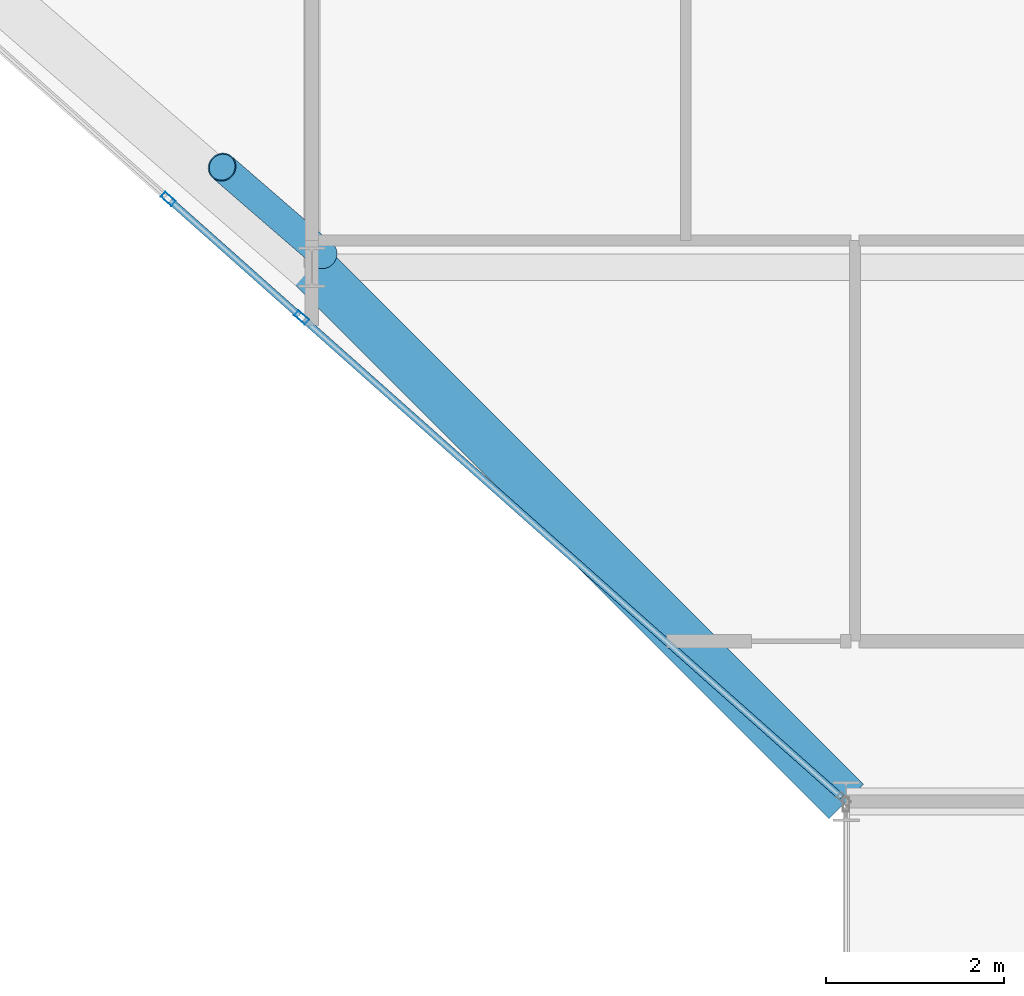
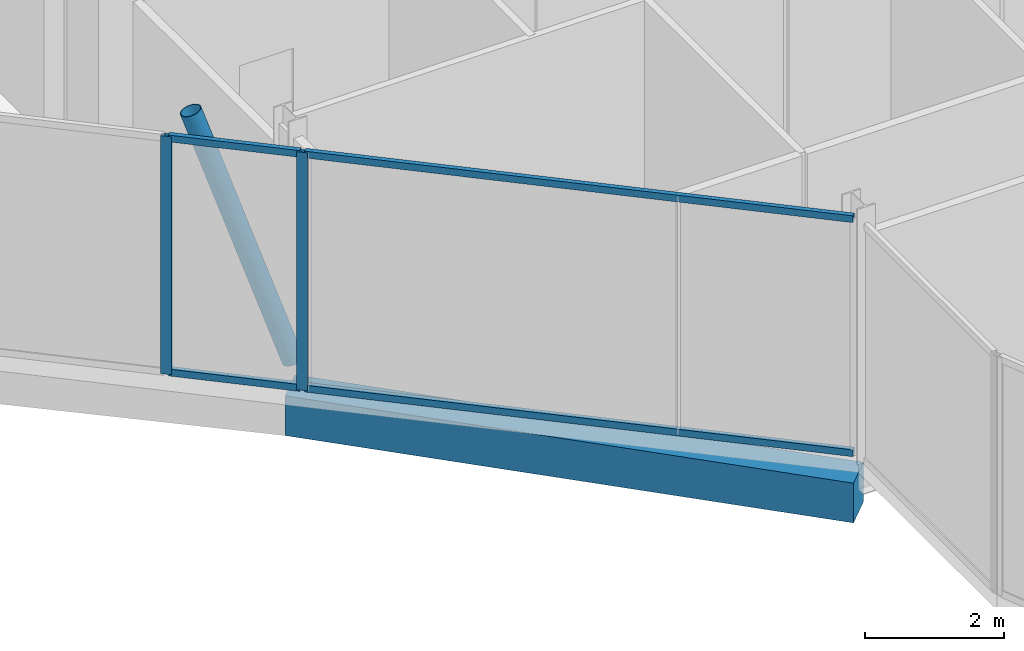
# One storey, part 4 of 31: 7 members, 1 beam, 2 elements without a shape of their own.
"""IFC4 building model written with IfcOpenShell, lengths in metres."""

from ifc_helpers import new_model, si_unit, direction, frame, origin, origin_2d, place, context, subcontext, project, spatial, rectangle, hollow_rectangle, hollow_circle, extrude, material, layer, layer_set, material_profile, profile_set, type_object, element, aggregate, save


model = new_model("IFC4")

# Units and contexts
model_context = context("Model", 3, precision=1e-05, world=origin(), true_north=direction((0.0, 1.0)))
body_context = subcontext(model_context, "Body", "Model", "MODEL_VIEW")
ifc_project = project(units=[si_unit("LENGTHUNIT", "METRE"), si_unit("AREAUNIT", "SQUARE_METRE"), si_unit("VOLUMEUNIT", "CUBIC_METRE"), si_unit("PLANEANGLEUNIT", "RADIAN"), si_unit("MASSUNIT", "GRAM", prefix="KILO")], contexts=[model_context])

# Site, building, storey
site_placement = place(None, origin())
site = spatial("IfcSite", under=ifc_project, at=site_placement, CompositionType="ELEMENT")
building_placement = place(site_placement, origin())
building = spatial("IfcBuilding", under=site, at=building_placement, Name="Keshet Zoharim Tower", CompositionType="ELEMENT")
storey_placement = place(building_placement, frame((0.0, 0.0, 183.89990234375)))
storey = spatial("IfcBuildingStorey", under=building, at=storey_placement, Name="L45", CompositionType="ELEMENT", Elevation=183.89990234375)

# Beam
ifc_material_1 = material(Name="Concrete C50/60", Category="concrete")
ifc_material_profile_1 = material_profile(ifc_material_1, rectangle(XDim=0.550048828125, YDim=0.699951171875, at=origin_2d()), Name="RC700x550")
ifc_profile_set_1 = profile_set([ifc_material_profile_1], Name="Concrete C50/60")
beam_type = type_object("IfcBeamType", Name="BM-SPN-700", PredefinedType="SPANDREL", material=ifc_profile_set_1)
beam_placement = place(storey_placement, frame((21.0, 6.699951171875, -0.669921875), z_axis=(-0.707106781187, 0.707106781187, 0.0), x_axis=(-0.707106781187, -0.707106781187, 0.0)))
element("IfcBeam", 1, at=beam_placement, inside=storey, type_object=beam_type, Name="L45 Perimeter Spandrel Beam 01", PredefinedType="SPANDREL", context=body_context, shape_type="SweptSolid", body=[
    extrude(rectangle(XDim=0.550048828125, YDim=0.699951171875, at=origin_2d()), origin(), (0.0, 0.0, 1.0), 8.4853515625),
])

# Curtain wall, member
ifc_material_2 = material(Name="Aluminium 6063-T6", Category="aluminium")
ifc_layer = layer(ifc_material_2, 0.139892578125)
ifc_layer_set = layer_set([ifc_layer], Name="Aluminium 6063-T6")
curtain_wall_type = type_object("IfcCurtainWallType", Name="CW-SYS-05", PredefinedType="NOTDEFINED", material=ifc_layer_set)
curtain_wall_1_placement = place(storey_placement, origin())
curtain_wall_1 = element("IfcCurtainWall", 2, at=curtain_wall_1_placement, inside=storey, type_object=curtain_wall_type, Name="L45 Unitised Curtain Wall 15", PredefinedType="NOTDEFINED")
ifc_material_profile_2 = material_profile(ifc_material_2, hollow_rectangle(XDim=0.074951171875, YDim=0.159912109375, WallThickness=0.00390625, at=origin_2d()), Name="MUL-75x160")
ifc_profile_set_2 = profile_set([ifc_material_profile_2], Name="Aluminium 6063-T6")
member_type_1 = type_object("IfcMemberType", Name="CWM-M15", PredefinedType="MULLION", material=ifc_profile_set_2)
member_1_placement = place(storey_placement, frame((14.883544921875, 12.13671875, 0.0), z_axis=(0.0, 0.0, 1.0), x_axis=(-0.664363838836, -0.747409318679, 0.0)))
member_1 = element("IfcMember", 3, at=member_1_placement, type_object=member_type_1, Name="CW-05 mullion 2", PredefinedType="MULLION", context=body_context, shape_type="SweptSolid", body=[
    extrude(hollow_rectangle(XDim=0.074951171875, YDim=0.159912109375, WallThickness=0.00390625, at=origin_2d()), origin(), (0.0, 0.0, 1.0), 4.190185546875),
])

curtain_wall_2_placement = place(storey_placement, origin())
curtain_wall_2 = element("IfcCurtainWall", 4, at=curtain_wall_2_placement, inside=storey, type_object=curtain_wall_type, Name="L45 Unitised Curtain Wall 15 Part 2", PredefinedType="NOTDEFINED")
member_2_placement = place(storey_placement, frame((13.38525390625, 13.46875, 0.0), z_axis=(0.0, 0.0, 1.0), x_axis=(-0.664388605983, -0.747387302702, 0.0)))
member_2 = element("IfcMember", 5, at=member_2_placement, type_object=member_type_1, Name="CW-05 mullion 2", PredefinedType="MULLION", context=body_context, shape_type="SweptSolid", body=[
    extrude(hollow_rectangle(XDim=0.074951171875, YDim=0.159912109375, WallThickness=0.00390625, at=origin_2d()), origin(), (0.0, 0.0, 1.0), 4.190185546875),
])

# Member
ifc_material_profile_3 = material_profile(ifc_material_2, hollow_rectangle(XDim=0.074951171875, YDim=0.1201171875, WallThickness=0.00390625, at=origin_2d()), Name="TRN-75x120")
ifc_profile_set_3 = profile_set([ifc_material_profile_3], Name="Aluminium 6063-T6")
member_type_2 = type_object("IfcMemberType", Name="CWT-T12", PredefinedType="USERDEFINED", material=ifc_profile_set_3)
member_3_placement = place(storey_placement, frame((20.94775390625, 6.74658203125, 0.03515625), z_axis=(-0.747410986081, 0.664361963003, 0.0), x_axis=(-0.664361963003, -0.747410986081, 0.0)))
member_3 = element("IfcMember", 6, at=member_3_placement, type_object=member_type_2, Name="CW-05 transom 1.1", ObjectType="TRANSOM", PredefinedType="USERDEFINED", context=body_context, shape_type="SweptSolid", body=[
    extrude(hollow_rectangle(XDim=0.074951171875, YDim=0.1201171875, WallThickness=0.00390625, at=origin_2d()), origin(), (0.0, 0.0, 1.0), 8.078369140625),
])

member_4_placement = place(storey_placement, frame((20.94775390625, 6.74658203125, 4.155029296875), z_axis=(-0.747410986081, 0.664361963003, 0.0), x_axis=(-0.664361963003, -0.747410986081, 0.0)))
member_4 = element("IfcMember", 7, at=member_4_placement, type_object=member_type_2, Name="CW-05 transom 1.2", ObjectType="TRANSOM", PredefinedType="USERDEFINED", context=body_context, shape_type="SweptSolid", body=[
    extrude(hollow_rectangle(XDim=0.074951171875, YDim=0.1201171875, WallThickness=0.00390625, at=origin_2d()), origin(), (0.0, 0.0, 1.0), 8.078369140625),
])

aggregate(curtain_wall_1, [member_1, member_3, member_4])

member_5_placement = place(storey_placement, frame((14.857421875, 12.159912109375, 0.03515625), z_axis=(-0.747339700305, 0.664442151242, 0.0), x_axis=(-0.664442151242, -0.747339700305, 0.0)))
member_5 = element("IfcMember", 8, at=member_5_placement, type_object=member_type_2, Name="CW-05 transom 1.1", ObjectType="TRANSOM", PredefinedType="USERDEFINED", context=body_context, shape_type="SweptSolid", body=[
    extrude(hollow_rectangle(XDim=0.074951171875, YDim=0.1201171875, WallThickness=0.00390625, at=origin_2d()), origin(), (0.0, 0.0, 1.0), 1.934814453125),
])

member_6_placement = place(storey_placement, frame((14.857421875, 12.159912109375, 4.155029296875), z_axis=(-0.747339700305, 0.664442151242, 0.0), x_axis=(-0.664442151242, -0.747339700305, 0.0)))
member_6 = element("IfcMember", 9, at=member_6_placement, type_object=member_type_2, Name="CW-05 transom 1.2", ObjectType="TRANSOM", PredefinedType="USERDEFINED", context=body_context, shape_type="SweptSolid", body=[
    extrude(hollow_rectangle(XDim=0.074951171875, YDim=0.1201171875, WallThickness=0.00390625, at=origin_2d()), origin(), (0.0, 0.0, 1.0), 1.934814453125),
])

aggregate(curtain_wall_2, [member_2, member_5, member_6])

ifc_material_3 = material(Name="Steel S355", Category="steel")
ifc_material_profile_4 = material_profile(ifc_material_3, hollow_circle(Radius=0.161865234375, WallThickness=0.012451171875, at=origin_2d()), Name="CHS323x12.5")
ifc_profile_set_4 = profile_set([ifc_material_profile_4], Name="Steel S355")
member_type_3 = type_object("IfcMemberType", Name="MB-BR-C323", PredefinedType="BRACE", material=ifc_profile_set_4)
member_7_placement = place(storey_placement, frame((15.1259765625, 12.842041015625, 0.0), z_axis=(-0.254804312669, 0.220629267073, 0.941486850018), x_axis=(-0.654589683411, -0.755984355904, 0.0)))
element("IfcMember", 10, at=member_7_placement, inside=storey, type_object=member_type_3, Name="L45 Perimeter Tube Brace 01", PredefinedType="BRACE", context=body_context, shape_type="SweptSolid", body=[
    extrude(hollow_circle(Radius=0.161865234375, WallThickness=0.012451171875, at=origin_2d()), origin(), (0.0, 0.0, 1.0), 4.45068359375),
])

save(model, "model.ifc")
